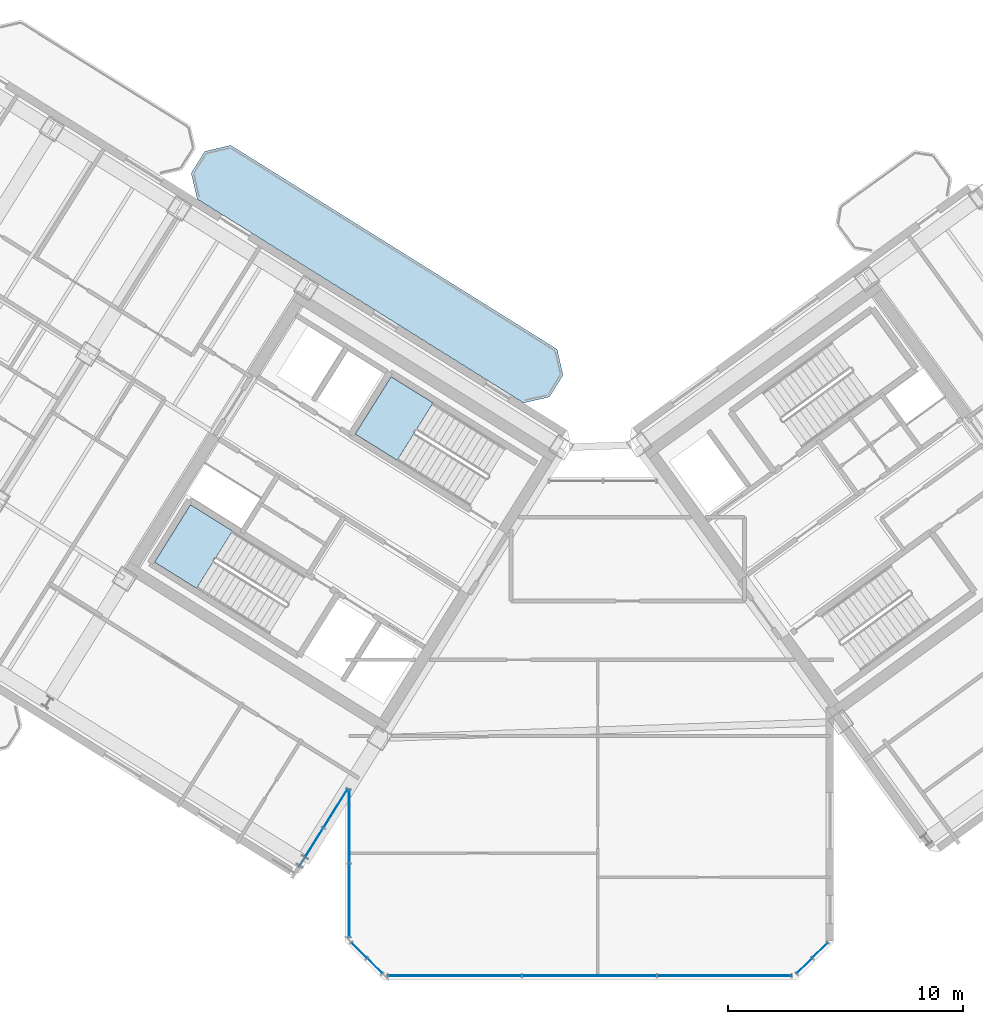
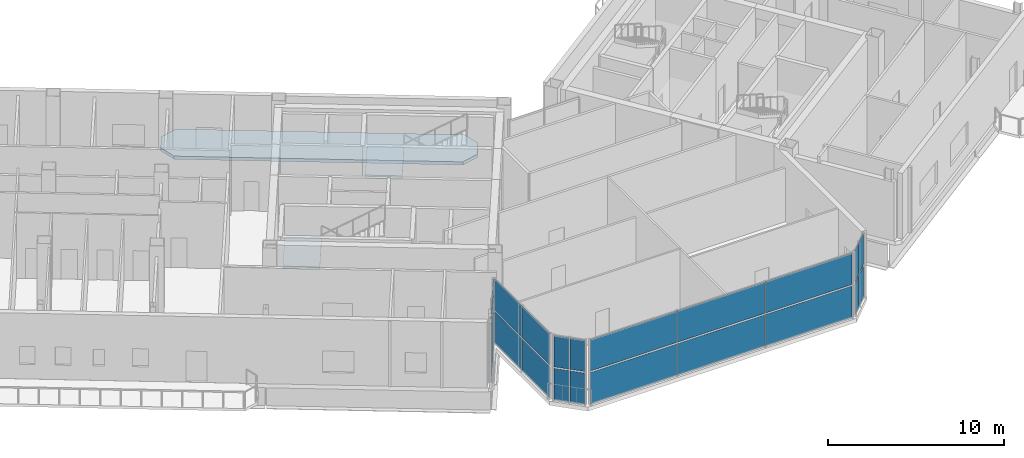
# One storey, part 14 of 26: 22 plates, 3 slabs, 7 elements without a shape of their own.
"""IFC4 building model written with IfcOpenShell, lengths in metres."""

from ifc_helpers import new_model, si_unit, direction, frame, origin, origin_2d, place, context, subcontext, project, spatial, polyline, rectangle, outline, extrude, source, transform, mapped, material, layer, layer_set, type_object, element, aggregate, save


model = new_model("IFC4")

# Units and contexts
model_context = context("Model", 3, precision=1e-05, world=origin(), true_north=direction((0.0, 1.0)))
body_context = subcontext(model_context, "Body", "Model", "MODEL_VIEW")
ifc_project = project(units=[si_unit("LENGTHUNIT", "METRE"), si_unit("AREAUNIT", "SQUARE_METRE"), si_unit("VOLUMEUNIT", "CUBIC_METRE"), si_unit("PLANEANGLEUNIT", "RADIAN"), si_unit("MASSUNIT", "GRAM", prefix="KILO")], contexts=[model_context])

# Site, building, storey
site_placement = place(None, origin())
site = spatial("IfcSite", under=ifc_project, at=site_placement, CompositionType="ELEMENT")
building_placement = place(site_placement, origin())
building = spatial("IfcBuilding", under=site, at=building_placement, Name="Tlacorven Tower", CompositionType="ELEMENT")
storey_placement = place(building_placement, frame((0.0, 0.0, 233.699951171875)))
storey = spatial("IfcBuildingStorey", under=building, at=storey_placement, Name="L59", CompositionType="ELEMENT", Elevation=233.699951171875)

# Stair, slab
ifc_material_1 = material(Name="Concrete C40/50", Category="concrete")
stair_type = type_object("IfcStairType", Name="ST-CORE-DLG", PredefinedType="HALF_TURN_STAIR", material=ifc_material_1)
stair_1_placement = place(storey_placement, origin())
stair_1 = element("IfcStair", 1, at=stair_1_placement, inside=storey, type_object=stair_type, Name="L59 Protected Exit Stair West 1", PredefinedType="HALF_TURN_STAIR")
ifc_layer_1 = layer(ifc_material_1, 0.199951171875)
ifc_layer_set_1 = layer_set([ifc_layer_1], Name="Concrete C40/50")
slab_type_1 = type_object("IfcSlabType", Name="SL-LND-200", PredefinedType="LANDING", material=ifc_layer_set_1)
slab_1_placement = place(storey_placement, frame((0.0, 0.0, 2.199951171875)))
slab_1 = element("IfcSlab", 2, at=slab_1_placement, type_object=slab_type_1, Name="ST-W1 landing 1", PredefinedType="LANDING", context=body_context, shape_type="SweptSolid", body=[
    extrude(outline(polyline([(26.778564453125, 20.90869140625), (24.9892578125, 22.02685546875), (23.463134765625, 19.58447265625), (25.25244140625, 18.46630859375), (26.778564453125, 20.90869140625)])), origin(), (0.0, 0.0, 1.0), 0.2001953125),
])
aggregate(stair_1, [slab_1])

stair_2_placement = place(storey_placement, origin())
stair_2 = element("IfcStair", 3, at=stair_2_placement, inside=storey, type_object=stair_type, Name="L59 Protected Exit Stair West 2", PredefinedType="HALF_TURN_STAIR")
slab_2_placement = place(storey_placement, frame((0.0, 0.0, 2.199951171875)))
slab_2 = element("IfcSlab", 4, at=slab_2_placement, type_object=slab_type_1, Name="ST-W2 landing 1", PredefinedType="LANDING", context=body_context, shape_type="SweptSolid", body=[
    extrude(outline(polyline([(35.330078125, 26.366455078125), (33.540771484375, 27.484375), (32.0146484375, 25.0419921875), (33.803955078125, 23.924072265625), (35.330078125, 26.366455078125)])), origin(), (0.0, 0.0, 1.0), 0.2001953125),
])
aggregate(stair_2, [slab_2])

# Slab
ifc_layer_2 = layer(ifc_material_1, 0.219970703125)
ifc_layer_set_2 = layer_set([ifc_layer_2], Name="Concrete C40/50")
slab_type_2 = type_object("IfcSlabType", Name="SL-TER-220", PredefinedType="FLOOR", material=ifc_layer_set_2)
slab_3_placement = place(storey_placement, frame((0.0, 0.0, -0.219970703125)))
element("IfcSlab", 5, at=slab_3_placement, inside=storey, type_object=slab_type_2, Name="L59 West Wing Planted Sky-Garden Terrace Slab", PredefinedType="FLOOR", context=body_context, shape_type="SweptSolid", body=[
    extrude(outline(polyline([(40.614990234375, 28.6533203125), (26.70703125, 37.343994140625), (25.604736328125, 37.08935546875), (25.0244140625, 36.160888671875), (25.279052734375, 35.058349609375), (39.18701171875, 26.36767578125), (40.289306640625, 26.622314453125), (40.86962890625, 27.55078125), (40.614990234375, 28.6533203125)])), origin(), (0.0, 0.0, 1.0), 0.219970703125),
])

# Curtain wall, plates
ifc_material_2 = material(Name="Dark solar low-E double glazing in aluminium frame", Category="aluminium")
curtain_wall_type = type_object("IfcCurtainWallType", Name="CW-TWR-HIGH", PredefinedType="USERDEFINED", material=ifc_material_2)
curtain_wall_1_placement = place(storey_placement, origin())
curtain_wall_1 = element("IfcCurtainWall", 6, at=curtain_wall_1_placement, inside=storey, type_object=curtain_wall_type, Name="L59 CW-TWR-HIGH Curtain Wall 266", ObjectType="UNITISED CURTAIN WALL", PredefinedType="USERDEFINED")
ifc_material_3 = material(Name="High-wind dark solar tempered low-E glazing", Category="glass")
ifc_layer_3 = layer(ifc_material_3, 0.028076171875)
ifc_layer_set_3 = layer_set([ifc_layer_3], Name="High-wind dark solar tempered low-E glazing")
plate_type = type_object("IfcPlateType", Name="CWP-03", PredefinedType="CURTAIN_PANEL", material=ifc_layer_set_3)
shared_shape_1 = source(origin(), body_context, "Body", "SweptSolid", [
    extrude(rectangle(XDim=0.89306640625, YDim=0.028076171875, at=origin_2d()), origin(), (0.0, 0.0, 1.0), 2.173095703125),
])
plate_1_placement = place(storey_placement, frame((51.8173828125, 3.043701171875, 0.05078125), z_axis=(0.0, 0.0, 1.0), x_axis=(-0.707106781187, -0.707106781187, 0.0)))
plate_1 = element("IfcPlate", 7, at=plate_1_placement, type_object=plate_type, Name="CW-L59-266 Glazing Panel 1", PredefinedType="CURTAIN_PANEL", context=body_context, shape_type="MappedRepresentation", body=[
    mapped(shared_shape_1, transform((0.0, 0.0, 0.0), scale=1.0)),
])
plate_2_placement = place(storey_placement, frame((51.8173828125, 3.043701171875, 2.326171875), z_axis=(0.0, 0.0, 1.0), x_axis=(-0.707106781187, -0.707106781187, 0.0)))
plate_2 = element("IfcPlate", 8, at=plate_2_placement, type_object=plate_type, Name="CW-L59-266 Glazing Panel 2", PredefinedType="CURTAIN_PANEL", context=body_context, shape_type="MappedRepresentation", body=[
    mapped(shared_shape_1, transform((0.0, 0.0, 0.0), scale=1.0)),
])
plate_3_placement = place(storey_placement, frame((51.15625, 2.382568359375, 0.05078125), z_axis=(0.0, 0.0, 1.0), x_axis=(-0.707106781187, -0.707106781187, 0.0)))
plate_3 = element("IfcPlate", 9, at=plate_3_placement, type_object=plate_type, Name="CW-L59-266 Glazing Panel 3", PredefinedType="CURTAIN_PANEL", context=body_context, shape_type="MappedRepresentation", body=[
    mapped(shared_shape_1, transform((0.0, 0.0, 0.0), scale=1.0)),
])
plate_4_placement = place(storey_placement, frame((51.15625, 2.382568359375, 2.326171875), z_axis=(0.0, 0.0, 1.0), x_axis=(-0.707106781187, -0.707106781187, 0.0)))
plate_4 = element("IfcPlate", 10, at=plate_4_placement, type_object=plate_type, Name="CW-L59-266 Glazing Panel 4", PredefinedType="CURTAIN_PANEL", context=body_context, shape_type="MappedRepresentation", body=[
    mapped(shared_shape_1, transform((0.0, 0.0, 0.0), scale=1.0)),
])
aggregate(curtain_wall_1, [plate_1, plate_2, plate_3, plate_4])

curtain_wall_2_placement = place(storey_placement, origin())
curtain_wall_2 = element("IfcCurtainWall", 11, at=curtain_wall_2_placement, inside=storey, type_object=curtain_wall_type, Name="L59 CW-TWR-HIGH Curtain Wall 268", ObjectType="UNITISED CURTAIN WALL", PredefinedType="USERDEFINED")
plate_5_placement = place(storey_placement, frame((32.84375, 2.382568359375, 0.05078125), z_axis=(0.0, 0.0, 1.0), x_axis=(-0.707106781187, 0.707106781187, 0.0)))
plate_5 = element("IfcPlate", 12, at=plate_5_placement, type_object=plate_type, Name="CW-L59-268 Glazing Panel 1", PredefinedType="CURTAIN_PANEL", context=body_context, shape_type="MappedRepresentation", body=[
    mapped(shared_shape_1, transform((0.0, 0.0, 0.0), scale=1.0)),
])
plate_6_placement = place(storey_placement, frame((32.84375, 2.382568359375, 2.326171875), z_axis=(0.0, 0.0, 1.0), x_axis=(-0.707106781187, 0.707106781187, 0.0)))
plate_6 = element("IfcPlate", 13, at=plate_6_placement, type_object=plate_type, Name="CW-L59-268 Glazing Panel 2", PredefinedType="CURTAIN_PANEL", context=body_context, shape_type="MappedRepresentation", body=[
    mapped(shared_shape_1, transform((0.0, 0.0, 0.0), scale=1.0)),
])
plate_7_placement = place(storey_placement, frame((32.1826171875, 3.043701171875, 0.05078125), z_axis=(0.0, 0.0, 1.0), x_axis=(-0.707106781187, 0.707106781187, 0.0)))
plate_7 = element("IfcPlate", 14, at=plate_7_placement, type_object=plate_type, Name="CW-L59-268 Glazing Panel 3", PredefinedType="CURTAIN_PANEL", context=body_context, shape_type="MappedRepresentation", body=[
    mapped(shared_shape_1, transform((0.0, 0.0, 0.0), scale=1.0)),
])
plate_8_placement = place(storey_placement, frame((32.1826171875, 3.043701171875, 2.326171875), z_axis=(0.0, 0.0, 1.0), x_axis=(-0.707106781187, 0.707106781187, 0.0)))
plate_8 = element("IfcPlate", 15, at=plate_8_placement, type_object=plate_type, Name="CW-L59-268 Glazing Panel 4", PredefinedType="CURTAIN_PANEL", context=body_context, shape_type="MappedRepresentation", body=[
    mapped(shared_shape_1, transform((0.0, 0.0, 0.0), scale=1.0)),
])
aggregate(curtain_wall_2, [plate_5, plate_6, plate_7, plate_8])

curtain_wall_3_placement = place(storey_placement, origin())
curtain_wall_3 = element("IfcCurtainWall", 16, at=curtain_wall_3_placement, inside=storey, type_object=curtain_wall_type, Name="L59 CW-TWR-HIGH Curtain Wall 267", ObjectType="UNITISED CURTAIN WALL", PredefinedType="USERDEFINED")
shared_shape_2 = source(origin(), body_context, "Body", "SweptSolid", [
    extrude(rectangle(XDim=5.683837890625, YDim=0.028076171875, at=origin_2d()), origin(), (0.0, 0.0, 1.0), 2.173095703125),
])
plate_9_placement = place(storey_placement, frame((47.74072265625, 1.9599609375, 0.05078125), z_axis=(0.0, 0.0, 1.0), x_axis=(-1.0, 0.0, 0.0)))
plate_9 = element("IfcPlate", 17, at=plate_9_placement, type_object=plate_type, Name="CW-L59-267 Glazing Panel 1", PredefinedType="CURTAIN_PANEL", context=body_context, shape_type="MappedRepresentation", body=[
    mapped(shared_shape_2, transform((0.0, 0.0, 0.0), scale=1.0)),
])
plate_10_placement = place(storey_placement, frame((47.74072265625, 1.9599609375, 2.326171875), z_axis=(0.0, 0.0, 1.0), x_axis=(-1.0, 0.0, 0.0)))
plate_10 = element("IfcPlate", 18, at=plate_10_placement, type_object=plate_type, Name="CW-L59-267 Glazing Panel 2", PredefinedType="CURTAIN_PANEL", context=body_context, shape_type="MappedRepresentation", body=[
    mapped(shared_shape_2, transform((0.0, 0.0, 0.0), scale=1.0)),
])
plate_11_placement = place(storey_placement, frame((36.25927734375, 1.9599609375, 0.05078125), z_axis=(0.0, 0.0, 1.0), x_axis=(-1.0, 0.0, 0.0)))
plate_11 = element("IfcPlate", 19, at=plate_11_placement, type_object=plate_type, Name="CW-L59-267 Glazing Panel 5", PredefinedType="CURTAIN_PANEL", context=body_context, shape_type="MappedRepresentation", body=[
    mapped(shared_shape_2, transform((0.0, 0.0, 0.0), scale=1.0)),
])
plate_12_placement = place(storey_placement, frame((36.25927734375, 1.9599609375, 2.326171875), z_axis=(0.0, 0.0, 1.0), x_axis=(-1.0, 0.0, 0.0)))
plate_12 = element("IfcPlate", 20, at=plate_12_placement, type_object=plate_type, Name="CW-L59-267 Glazing Panel 6", PredefinedType="CURTAIN_PANEL", context=body_context, shape_type="MappedRepresentation", body=[
    mapped(shared_shape_2, transform((0.0, 0.0, 0.0), scale=1.0)),
])
shared_shape_3 = source(origin(), body_context, "Body", "SweptSolid", [
    extrude(rectangle(XDim=5.7138671875, YDim=0.028076171875, at=origin_2d()), origin(), (0.0, 0.0, 1.0), 2.173095703125),
])
plate_13_placement = place(storey_placement, frame((42.0, 1.9599609375, 0.05078125), z_axis=(0.0, 0.0, 1.0), x_axis=(-1.0, 0.0, 0.0)))
plate_13 = element("IfcPlate", 21, at=plate_13_placement, type_object=plate_type, Name="CW-L59-267 Glazing Panel 3", PredefinedType="CURTAIN_PANEL", context=body_context, shape_type="MappedRepresentation", body=[
    mapped(shared_shape_3, transform((0.0, 0.0, 0.0), scale=1.0)),
])
plate_14_placement = place(storey_placement, frame((42.0, 1.9599609375, 2.326171875), z_axis=(0.0, 0.0, 1.0), x_axis=(-1.0, 0.0, 0.0)))
plate_14 = element("IfcPlate", 22, at=plate_14_placement, type_object=plate_type, Name="CW-L59-267 Glazing Panel 4", PredefinedType="CURTAIN_PANEL", context=body_context, shape_type="MappedRepresentation", body=[
    mapped(shared_shape_3, transform((0.0, 0.0, 0.0), scale=1.0)),
])
aggregate(curtain_wall_3, [plate_9, plate_10, plate_13, plate_14, plate_11, plate_12])

curtain_wall_4_placement = place(storey_placement, origin())
curtain_wall_4 = element("IfcCurtainWall", 23, at=curtain_wall_4_placement, inside=storey, type_object=curtain_wall_type, Name="L59 CW-TWR-HIGH Curtain Wall 269", ObjectType="UNITISED CURTAIN WALL", PredefinedType="USERDEFINED")
shared_shape_4 = source(origin(), body_context, "Body", "SweptSolid", [
    extrude(rectangle(XDim=3.109130859375, YDim=0.028076171875, at=origin_2d()), origin(), (0.0, 0.0, 1.0), 2.173095703125),
])
plate_15_placement = place(storey_placement, frame((31.760009765625, 5.171875, 0.05078125), z_axis=(0.0, 0.0, 1.0), x_axis=(0.0, 1.0, 0.0)))
plate_15 = element("IfcPlate", 24, at=plate_15_placement, type_object=plate_type, Name="CW-L59-269 Glazing Panel 1", PredefinedType="CURTAIN_PANEL", context=body_context, shape_type="MappedRepresentation", body=[
    mapped(shared_shape_4, transform((0.0, 0.0, 0.0), scale=1.0)),
])
plate_16_placement = place(storey_placement, frame((31.760009765625, 5.171875, 2.326171875), z_axis=(0.0, 0.0, 1.0), x_axis=(0.0, 1.0, 0.0)))
plate_16 = element("IfcPlate", 25, at=plate_16_placement, type_object=plate_type, Name="CW-L59-269 Glazing Panel 2", PredefinedType="CURTAIN_PANEL", context=body_context, shape_type="MappedRepresentation", body=[
    mapped(shared_shape_4, transform((0.0, 0.0, 0.0), scale=1.0)),
])
plate_17_placement = place(storey_placement, frame((31.760009765625, 8.322998046875, 0.05078125), z_axis=(0.0, 0.0, 1.0), x_axis=(0.0, 1.0, 0.0)))
plate_17 = element("IfcPlate", 26, at=plate_17_placement, type_object=plate_type, Name="CW-L59-269 Glazing Panel 3", PredefinedType="CURTAIN_PANEL", context=body_context, shape_type="MappedRepresentation", body=[
    mapped(shared_shape_4, transform((0.0, 0.0, 0.0), scale=1.0)),
])
plate_18_placement = place(storey_placement, frame((31.760009765625, 8.322998046875, 2.326171875), z_axis=(0.0, 0.0, 1.0), x_axis=(0.0, 1.0, 0.0)))
plate_18 = element("IfcPlate", 27, at=plate_18_placement, type_object=plate_type, Name="CW-L59-269 Glazing Panel 4", PredefinedType="CURTAIN_PANEL", context=body_context, shape_type="MappedRepresentation", body=[
    mapped(shared_shape_4, transform((0.0, 0.0, 0.0), scale=1.0)),
])
aggregate(curtain_wall_4, [plate_15, plate_16, plate_17, plate_18])

curtain_wall_5_placement = place(storey_placement, origin())
curtain_wall_5 = element("IfcCurtainWall", 28, at=curtain_wall_5_placement, inside=storey, type_object=curtain_wall_type, Name="L59 CW-TWR-HIGH Curtain Wall 270", ObjectType="UNITISED CURTAIN WALL", PredefinedType="USERDEFINED")
shared_shape_5 = source(origin(), body_context, "Body", "SweptSolid", [
    extrude(rectangle(XDim=1.911376953125, YDim=0.028076171875, at=origin_2d()), origin(), (0.0, 0.0, 1.0), 2.173095703125),
])
plate_19_placement = place(storey_placement, frame((31.173583984375, 9.090087890625, 0.05078125), z_axis=(0.0, 0.0, 1.0), x_axis=(-0.529918710919, -0.848048441905, 0.0)))
plate_19 = element("IfcPlate", 29, at=plate_19_placement, type_object=plate_type, Name="CW-L59-270 Glazing Panel 1", PredefinedType="CURTAIN_PANEL", context=body_context, shape_type="MappedRepresentation", body=[
    mapped(shared_shape_5, transform((0.0, 0.0, 0.0), scale=1.0)),
])
plate_20_placement = place(storey_placement, frame((31.173583984375, 9.090087890625, 2.326171875), z_axis=(0.0, 0.0, 1.0), x_axis=(-0.529918710919, -0.848048441905, 0.0)))
plate_20 = element("IfcPlate", 30, at=plate_20_placement, type_object=plate_type, Name="CW-L59-270 Glazing Panel 2", PredefinedType="CURTAIN_PANEL", context=body_context, shape_type="MappedRepresentation", body=[
    mapped(shared_shape_5, transform((0.0, 0.0, 0.0), scale=1.0)),
])
plate_21_placement = place(storey_placement, frame((30.138427734375, 7.43359375, 0.05078125), z_axis=(0.0, 0.0, 1.0), x_axis=(-0.529918710919, -0.848048441905, 0.0)))
plate_21 = element("IfcPlate", 31, at=plate_21_placement, type_object=plate_type, Name="CW-L59-270 Glazing Panel 3", PredefinedType="CURTAIN_PANEL", context=body_context, shape_type="MappedRepresentation", body=[
    mapped(shared_shape_5, transform((0.0, 0.0, 0.0), scale=1.0)),
])
plate_22_placement = place(storey_placement, frame((30.138427734375, 7.43359375, 2.326171875), z_axis=(0.0, 0.0, 1.0), x_axis=(-0.529918710919, -0.848048441905, 0.0)))
plate_22 = element("IfcPlate", 32, at=plate_22_placement, type_object=plate_type, Name="CW-L59-270 Glazing Panel 4", PredefinedType="CURTAIN_PANEL", context=body_context, shape_type="MappedRepresentation", body=[
    mapped(shared_shape_5, transform((0.0, 0.0, 0.0), scale=1.0)),
])
aggregate(curtain_wall_5, [plate_19, plate_20, plate_21, plate_22])

save(model, "model.ifc")
